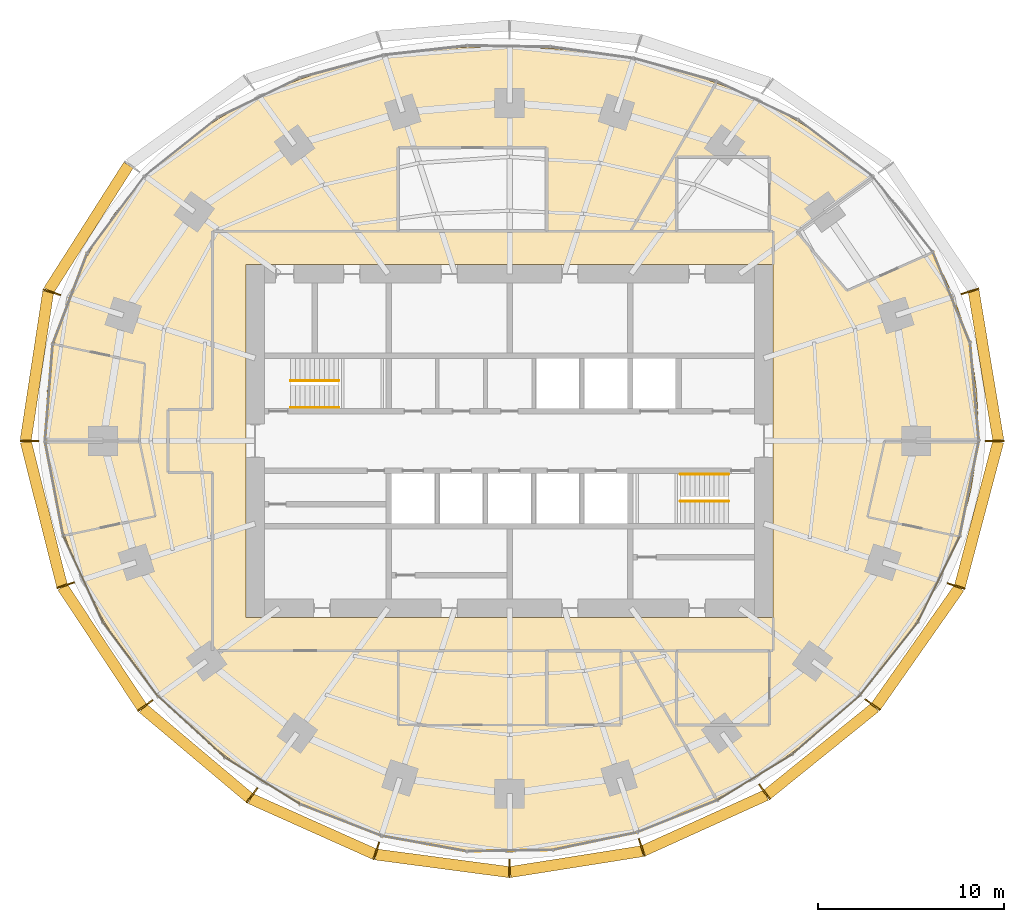
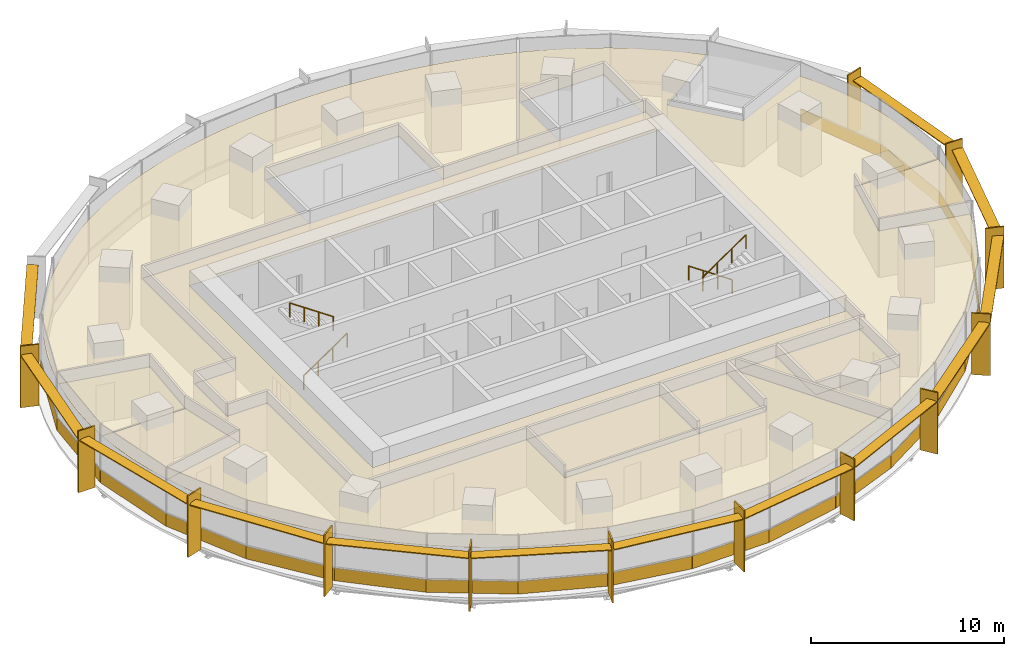
# One storey, part 13 of 14: 28 coverings, 26 shading devices, 4 railings.
"""IFC4 building model written with IfcOpenShell, lengths in metres."""

from ifc_helpers import new_model, si_unit, direction, frame, origin, origin_2d, place, context, subcontext, project, spatial, polyline, rectangle, circle, outline, extrude, material, layer, layer_set, type_object, element, save


model = new_model("IFC4")

# Units and contexts
model_context = context("Model", 3, precision=1e-05, world=origin(), true_north=direction((0.0, 1.0)))
body_context = subcontext(model_context, "Body", "Model", "MODEL_VIEW")
ifc_project = project(units=[si_unit("LENGTHUNIT", "METRE"), si_unit("AREAUNIT", "SQUARE_METRE"), si_unit("VOLUMEUNIT", "CUBIC_METRE"), si_unit("PLANEANGLEUNIT", "RADIAN"), si_unit("MASSUNIT", "GRAM", prefix="KILO")], contexts=[model_context])

# Site, building, storey
site_placement = place(None, origin())
site = spatial("IfcSite", under=ifc_project, at=site_placement, CompositionType="ELEMENT")
building_placement = place(site_placement, origin())
building = spatial("IfcBuilding", under=site, at=building_placement, Name="Marramba Exchange Tower", CompositionType="ELEMENT")
storey_placement = place(building_placement, frame((0.0, 0.0, 147.0)))
storey = spatial("IfcBuildingStorey", under=building, at=storey_placement, Name="L35", CompositionType="ELEMENT", Elevation=147.0)

# Shading devices
ifc_material_1 = material(Name="Aluminium blade, timber-look bronze finish", Category="wood")
ifc_layer_1 = layer(ifc_material_1, 0.080078125)
ifc_layer_set_1 = layer_set([ifc_layer_1], Name="Floor-edge blade 1000x80")
shading_device_type_1 = type_object("IfcShadingDeviceType", Name="Floor-edge blade 1000x80", PredefinedType="USERDEFINED", material=ifc_layer_set_1)
for number, where, z_axis, x_axis, name in (
    (1, (26.132080078125, 0.0, -0.159912109375), (0.0, 0.0, 1.0), (1.0, 0.0, 0.0), "Floor-edge blade FB1 L35 TC01"),
    (2, (24.798583984375, 8.0576171875, -0.159912109375), (0.0, 0.0, 1.0), (0.951056516295, 0.309016994375, 0.0), "Floor-edge blade FB1 L35 TC02"),
    (3, (-24.653076171875, 8.01025390625, -0.159912109375), (0.0, 0.0, 1.0), (-0.951056516295, 0.309016994375, 0.0), "Floor-edge blade FB1 L35 TC10"),
    (4, (-25.867919921875, 0.0, -0.159912109375), (0.0, 0.0, 1.0), (-1.0, 0.0, 0.0), "Floor-edge blade FB1 L35 TC11"),
    (5, (-23.90673828125, -7.767822265625, -0.159912109375), (0.0, 0.0, 1.0), (-0.951056516295, -0.309016994375, 0.0), "Floor-edge blade FB1 L35 TC12"),
    (6, (-19.618408203125, -14.253662109375, -0.159912109375), (0.0, 0.0, 1.0), (-0.809016994375, -0.587785252292, 0.0), "Floor-edge blade FB1 L35 TC13"),
    (7, (-13.866943359375, -19.08642578125, -0.159912109375), (0.0, 0.0, 1.0), (-0.587785252292, -0.809016994375, 0.0), "Floor-edge blade FB1 L35 TC14"),
    (8, (-7.173828125, -22.078857421875, -0.159912109375), (0.0, 0.0, 1.0), (-0.309016994375, -0.951056516295, 0.0), "Floor-edge blade FB1 L35 TC15"),
    (9, (0.0, -23.02685546875, -0.159912109375), (0.0, 0.0, 1.0), (0.0, -1.0, 0.0), "Floor-edge blade FB1 L35 TC16"),
    (10, (7.115966796875, -21.900634765625, -0.159912109375), (0.0, 0.0, 1.0), (0.309016994375, -0.951056516295, 0.0), "Floor-edge blade FB1 L35 TC17"),
    (11, (13.733154296875, -18.902099609375, -0.159912109375), (0.0, 0.0, 1.0), (0.587785252292, -0.809016994375, 0.0), "Floor-edge blade FB1 L35 TC18"),
    (12, (19.555908203125, -14.208251953125, -0.159912109375), (0.0, 0.0, 1.0), (0.809016994375, -0.587785252292, 0.0), "Floor-edge blade FB1 L35 TC19"),
    (13, (24.052001953125, -7.81494140625, -0.159912109375), (0.0, 0.0, 1.0), (0.951056516295, -0.309016994375, 0.0), "Floor-edge blade FB1 L35 TC20"),
):
    element("IfcShadingDevice", number, at=place(storey_placement, frame(where, z_axis=z_axis, x_axis=x_axis)), inside=storey, type_object=shading_device_type_1, Name=name, ObjectType="FIN", PredefinedType="USERDEFINED", context=body_context, shape_type="SweptSolid", body=[
        extrude(rectangle(XDim=1.0, YDim=0.080078125, at=origin_2d()), origin(), (0.0, 0.0, 1.0), 3.89990234375),
    ])
ifc_material_2 = material(Name="Aluminium sunshade, bronze anodised", Category="aluminium")
ifc_layer_2 = layer(ifc_material_2, 0.06005859375)
ifc_layer_set_2 = layer_set([ifc_layer_2], Name="SUNSHADE blade 600x60")
shading_device_type_2 = type_object("IfcShadingDeviceType", Name="SUNSHADE blade 600x60", PredefinedType="USERDEFINED", material=ifc_layer_set_2)
shading_device_1_placement = place(storey_placement, frame((25.660400390625, 4.0595703125, 3.159912109375), z_axis=(0.0, 0.0, 1.0), x_axis=(-0.163227675764, 0.986588427798, 0.0)))
element("IfcShadingDevice", 14, at=shading_device_1_placement, inside=storey, type_object=shading_device_type_2, Name="Sunshade SS1 L35 bay 01", ObjectType="SUNSHADE", PredefinedType="USERDEFINED", context=body_context, shape_type="SweptSolid", body=[
    extrude(rectangle(XDim=8.149658203125, YDim=0.60009765625, at=origin_2d()), origin(), (0.0, 0.0, 1.0), 0.06005859375),
])
shading_device_2_placement = place(storey_placement, frame((-22.6708984375, 11.482421875, 3.159912109375), z_axis=(0.0, 0.0, 1.0), x_axis=(-0.537284770546, -0.843400898351, 0.0)))
element("IfcShadingDevice", 15, at=shading_device_2_placement, inside=storey, type_object=shading_device_type_2, Name="Sunshade SS1 L35 bay 09", ObjectType="SUNSHADE", PredefinedType="USERDEFINED", context=body_context, shape_type="SweptSolid", body=[
    extrude(rectangle(XDim=8.007080078125, YDim=0.60009765625, at=origin_2d()), origin(), (0.0, 0.0, 1.0), 0.06005859375),
])
shading_device_3_placement = place(storey_placement, frame((-25.455810546875, 4.0361328125, 3.159912109375), z_axis=(0.0, 0.0, 1.0), x_axis=(-0.14999307077, -0.988687047918, 0.0)))
element("IfcShadingDevice", 16, at=shading_device_3_placement, inside=storey, type_object=shading_device_type_2, Name="Sunshade SS1 L35 bay 10", ObjectType="SUNSHADE", PredefinedType="USERDEFINED", context=body_context, shape_type="SweptSolid", body=[
    extrude(rectangle(XDim=8.08447265625, YDim=0.60009765625, at=origin_2d()), origin(), (0.0, 0.0, 1.0), 0.06005859375),
])
shading_device_4_placement = place(storey_placement, frame((-25.08251953125, -3.914794921875, 3.159912109375), z_axis=(0.0, 0.0, 1.0), x_axis=(0.244116522902, -0.969745906537, 0.0)))
element("IfcShadingDevice", 17, at=shading_device_4_placement, inside=storey, type_object=shading_device_type_2, Name="Sunshade SS1 L35 bay 11", ObjectType="SUNSHADE", PredefinedType="USERDEFINED", context=body_context, shape_type="SweptSolid", body=[
    extrude(rectangle(XDim=7.993896484375, YDim=0.60009765625, at=origin_2d()), origin(), (0.0, 0.0, 1.0), 0.06005859375),
])
shading_device_5_placement = place(storey_placement, frame((-21.938720703125, -11.100341796875, 3.159912109375), z_axis=(0.0, 0.0, 1.0), x_axis=(0.550792342935, -0.834642315585, 0.0)))
element("IfcShadingDevice", 18, at=shading_device_5_placement, inside=storey, type_object=shading_device_type_2, Name="Sunshade SS1 L35 bay 12", ObjectType="SUNSHADE", PredefinedType="USERDEFINED", context=body_context, shape_type="SweptSolid", body=[
    extrude(rectangle(XDim=7.757568359375, YDim=0.60009765625, at=origin_2d()), origin(), (0.0, 0.0, 1.0), 0.06005859375),
])
shading_device_6_placement = place(storey_placement, frame((-16.88232421875, -16.8095703125, 3.159912109375), z_axis=(0.0, 0.0, 1.0), x_axis=(0.76513863304, -0.643865569998, 0.0)))
element("IfcShadingDevice", 19, at=shading_device_6_placement, inside=storey, type_object=shading_device_type_2, Name="Sunshade SS1 L35 bay 13", ObjectType="SUNSHADE", PredefinedType="USERDEFINED", context=body_context, shape_type="SweptSolid", body=[
    extrude(rectangle(XDim=7.49462890625, YDim=0.60009765625, at=origin_2d()), origin(), (0.0, 0.0, 1.0), 0.06005859375),
])
shading_device_7_placement = place(storey_placement, frame((-10.610107421875, -20.758544921875, 3.159912109375), z_axis=(0.0, 0.0, 1.0), x_axis=(0.912735880581, -0.408550134377, 0.0)))
element("IfcShadingDevice", 20, at=shading_device_7_placement, inside=storey, type_object=shading_device_type_2, Name="Sunshade SS1 L35 bay 14", ObjectType="SUNSHADE", PredefinedType="USERDEFINED", context=body_context, shape_type="SweptSolid", body=[
    extrude(rectangle(XDim=7.314208984375, YDim=0.60009765625, at=origin_2d()), origin(), (0.0, 0.0, 1.0), 0.06005859375),
])
shading_device_8_placement = place(storey_placement, frame((-3.617919921875, -22.748046875, 3.159912109375), z_axis=(0.0, 0.0, 1.0), x_axis=(0.991350478855, -0.131241106646, 0.0)))
element("IfcShadingDevice", 21, at=shading_device_8_placement, inside=storey, type_object=shading_device_type_2, Name="Sunshade SS1 L35 bay 15", ObjectType="SUNSHADE", PredefinedType="USERDEFINED", context=body_context, shape_type="SweptSolid", body=[
    extrude(rectangle(XDim=7.21875, YDim=0.60009765625, at=origin_2d()), origin(), (0.0, 0.0, 1.0), 0.06005859375),
])
shading_device_9_placement = place(storey_placement, frame((3.5888671875, -22.658935546875, 3.159912109375), z_axis=(0.0, 0.0, 1.0), x_axis=(0.987704817912, 0.15633039587, 0.0)))
element("IfcShadingDevice", 22, at=shading_device_9_placement, inside=storey, type_object=shading_device_type_2, Name="Sunshade SS1 L35 bay 16", ObjectType="SUNSHADE", PredefinedType="USERDEFINED", context=body_context, shape_type="SweptSolid", body=[
    extrude(rectangle(XDim=7.18701171875, YDim=0.60009765625, at=origin_2d()), origin(), (0.0, 0.0, 1.0), 0.06005859375),
])
shading_device_10_placement = place(storey_placement, frame((10.514404296875, -20.577392578125, 3.159912109375), z_axis=(0.0, 0.0, 1.0), x_axis=(0.910692240548, 0.413085515366, 0.0)))
element("IfcShadingDevice", 23, at=shading_device_10_placement, inside=storey, type_object=shading_device_type_2, Name="Sunshade SS1 L35 bay 17", ObjectType="SUNSHADE", PredefinedType="USERDEFINED", context=body_context, shape_type="SweptSolid", body=[
    extrude(rectangle(XDim=7.24755859375, YDim=0.60009765625, at=origin_2d()), origin(), (0.0, 0.0, 1.0), 0.06005859375),
])
shading_device_11_placement = place(storey_placement, frame((16.7841796875, -16.69482421875, 3.159912109375), z_axis=(0.0, 0.0, 1.0), x_axis=(0.777962439436, 0.628310785223, 0.0)))
element("IfcShadingDevice", 24, at=shading_device_11_placement, inside=storey, type_object=shading_device_type_2, Name="Sunshade SS1 L35 bay 18", ObjectType="SUNSHADE", PredefinedType="USERDEFINED", context=body_context, shape_type="SweptSolid", body=[
    extrude(rectangle(XDim=7.46142578125, YDim=0.60009765625, at=origin_2d()), origin(), (0.0, 0.0, 1.0), 0.06005859375),
])
shading_device_12_placement = place(storey_placement, frame((21.97998046875, -11.101318359375, 3.159912109375), z_axis=(0.0, 0.0, 1.0), x_axis=(0.574350885858, 0.818609222959, 0.0)))
element("IfcShadingDevice", 25, at=shading_device_12_placement, inside=storey, type_object=shading_device_type_2, Name="Sunshade SS1 L35 bay 19", ObjectType="SUNSHADE", PredefinedType="USERDEFINED", context=body_context, shape_type="SweptSolid", body=[
    extrude(rectangle(XDim=7.7978515625, YDim=0.60009765625, at=origin_2d()), origin(), (0.0, 0.0, 1.0), 0.06005859375),
])
shading_device_13_placement = place(storey_placement, frame((25.287109375, -3.9384765625, 3.159912109375), z_axis=(0.0, 0.0, 1.0), x_axis=(0.256422950151, 0.966564674833, 0.0)))
element("IfcShadingDevice", 26, at=shading_device_13_placement, inside=storey, type_object=shading_device_type_2, Name="Sunshade SS1 L35 bay 20", ObjectType="SUNSHADE", PredefinedType="USERDEFINED", context=body_context, shape_type="SweptSolid", body=[
    extrude(rectangle(XDim=8.0693359375, YDim=0.60009765625, at=origin_2d()), origin(), (0.0, 0.0, 1.0), 0.06005859375),
])

# Coverings
ifc_material_3 = material(Name="Aluminium spandrel panel, bronze anodised, insulated", Category="aluminium")
ifc_layer_3 = layer(ifc_material_3, 0.050048828125)
ifc_layer_set_3 = layer_set([ifc_layer_3], Name="Spandrel panel 800")
covering_type_1 = type_object("IfcCoveringType", Name="Spandrel panel 800", PredefinedType="CLADDING", material=ifc_layer_set_3)
covering_1_placement = place(storey_placement, frame((25.04541015625, 2.63671875, 0.0), z_axis=(0.0, 0.0, 1.0), x_axis=(-0.089412890131, 0.995994646109, 0.0)))
element("IfcCovering", 27, at=covering_1_placement, inside=storey, type_object=covering_type_1, Name="Spandrel panel SP1 L35 F01", PredefinedType="CLADDING", context=body_context, shape_type="SweptSolid", body=[
    extrude(rectangle(XDim=5.29443359375, YDim=0.050048828125, at=origin_2d()), origin(), (0.0, 0.0, 1.0), 0.800048828125),
])
covering_2_placement = place(storey_placement, frame((23.81201171875, 7.715576171875, 0.0), z_axis=(0.0, 0.0, 1.0), x_axis=(-0.377821185272, 0.925878583811, 0.0)))
element("IfcCovering", 28, at=covering_2_placement, inside=storey, type_object=covering_type_1, Name="Spandrel panel SP1 L35 F02", PredefinedType="CLADDING", context=body_context, shape_type="SweptSolid", body=[
    extrude(rectangle(XDim=5.27587890625, YDim=0.050048828125, at=origin_2d()), origin(), (0.0, 0.0, 1.0), 0.800048828125),
])
covering_3_placement = place(storey_placement, frame((-23.671875, 7.677490234375, 0.0), z_axis=(0.0, 0.0, 1.0), x_axis=(-0.354844476365, -0.934925343326, 0.0)))
element("IfcCovering", 29, at=covering_3_placement, inside=storey, type_object=covering_type_1, Name="Spandrel panel SP1 L35 F14", PredefinedType="CLADDING", context=body_context, shape_type="SweptSolid", body=[
    extrude(rectangle(XDim=5.2373046875, YDim=0.050048828125, at=origin_2d()), origin(), (0.0, 0.0, 1.0), 0.800048828125),
])
covering_4_placement = place(storey_placement, frame((-24.8095703125, 2.614501953125, 0.0), z_axis=(0.0, 0.0, 1.0), x_axis=(-0.079459700697, -0.996838079111, 0.0)))
element("IfcCovering", 30, at=covering_4_placement, inside=storey, type_object=covering_type_1, Name="Spandrel panel SP1 L35 F15", PredefinedType="CLADDING", context=body_context, shape_type="SweptSolid", body=[
    extrude(rectangle(XDim=5.245849609375, YDim=0.050048828125, at=origin_2d()), origin(), (0.0, 0.0, 1.0), 0.800048828125),
])
covering_5_placement = place(storey_placement, frame((-24.5283203125, -2.5546875, 0.0), z_axis=(0.0, 0.0, 1.0), x_axis=(0.188227222909, -0.982125507538, 0.0)))
element("IfcCovering", 31, at=covering_5_placement, inside=storey, type_object=covering_type_1, Name="Spandrel panel SP1 L35 F16", PredefinedType="CLADDING", context=body_context, shape_type="SweptSolid", body=[
    extrude(rectangle(XDim=5.20263671875, YDim=0.050048828125, at=origin_2d()), origin(), (0.0, 0.0, 1.0), 0.800048828125),
])
covering_6_placement = place(storey_placement, frame((-22.973876953125, -7.43212890625, 0.0), z_axis=(0.0, 0.0, 1.0), x_axis=(0.416737850896, -0.909026712275, 0.0)))
element("IfcCovering", 32, at=covering_6_placement, inside=storey, type_object=covering_type_1, Name="Spandrel panel SP1 L35 F17", PredefinedType="CLADDING", context=body_context, shape_type="SweptSolid", body=[
    extrude(rectangle(XDim=5.10986328125, YDim=0.050048828125, at=origin_2d()), origin(), (0.0, 0.0, 1.0), 0.800048828125),
])
covering_7_placement = place(storey_placement, frame((-20.419921875, -11.75439453125, 0.0), z_axis=(0.0, 0.0, 1.0), x_axis=(0.597304701232, -0.802014397555, 0.0)))
element("IfcCovering", 33, at=covering_7_placement, inside=storey, type_object=covering_type_1, Name="Spandrel panel SP1 L35 F18", PredefinedType="CLADDING", context=body_context, shape_type="SweptSolid", body=[
    extrude(rectangle(XDim=4.986572265625, YDim=0.050048828125, at=origin_2d()), origin(), (0.0, 0.0, 1.0), 0.800048828125),
])
covering_8_placement = place(storey_placement, frame((-17.135986328125, -15.39599609375, 0.0), z_axis=(0.0, 0.0, 1.0), x_axis=(0.737821889246, -0.674995451651, 0.0)))
element("IfcCovering", 34, at=covering_8_placement, inside=storey, type_object=covering_type_1, Name="Spandrel panel SP1 L35 F19", PredefinedType="CLADDING", context=body_context, shape_type="SweptSolid", body=[
    extrude(rectangle(XDim=4.865234375, YDim=0.050048828125, at=origin_2d()), origin(), (0.0, 0.0, 1.0), 0.800048828125),
])
covering_9_placement = place(storey_placement, frame((-13.31787109375, -18.300537109375, 0.0), z_axis=(0.0, 0.0, 1.0), x_axis=(0.848354599309, -0.529428440708, 0.0)))
element("IfcCovering", 35, at=covering_9_placement, inside=storey, type_object=covering_type_1, Name="Spandrel panel SP1 L35 F20", PredefinedType="CLADDING", context=body_context, shape_type="SweptSolid", body=[
    extrude(rectangle(XDim=4.76953125, YDim=0.050048828125, at=origin_2d()), origin(), (0.0, 0.0, 1.0), 0.800048828125),
])
covering_10_placement = place(storey_placement, frame((-9.10302734375, -20.416748046875, 0.0), z_axis=(0.0, 0.0, 1.0), x_axis=(0.931818387481, -0.362924913381, 0.0)))
element("IfcCovering", 36, at=covering_10_placement, inside=storey, type_object=covering_type_1, Name="Spandrel panel SP1 L35 F21", PredefinedType="CLADDING", context=body_context, shape_type="SweptSolid", body=[
    extrude(rectangle(XDim=4.704345703125, YDim=0.050048828125, at=origin_2d()), origin(), (0.0, 0.0, 1.0), 0.800048828125),
])
covering_11_placement = place(storey_placement, frame((-4.616943359375, -21.685302734375, 0.0), z_axis=(0.0, 0.0, 1.0), x_axis=(0.984031866928, -0.177992373069, 0.0)))
element("IfcCovering", 37, at=covering_11_placement, inside=storey, type_object=covering_type_1, Name="Spandrel panel SP1 L35 F22", PredefinedType="CLADDING", context=body_context, shape_type="SweptSolid", body=[
    extrude(rectangle(XDim=4.662841796875, YDim=0.050048828125, at=origin_2d()), origin(), (0.0, 0.0, 1.0), 0.800048828125),
])
covering_12_placement = place(storey_placement, frame((-0.003662109375, -22.065185546875, 0.0), z_axis=(0.0, 0.0, 1.0), x_axis=(0.999884797651, 0.015178650325, 0.0)))
element("IfcCovering", 38, at=covering_12_placement, inside=storey, type_object=covering_type_1, Name="Spandrel panel SP1 L35 F23", PredefinedType="CLADDING", context=body_context, shape_type="SweptSolid", body=[
    extrude(rectangle(XDim=4.638916015625, YDim=0.050048828125, at=origin_2d()), origin(), (0.0, 0.0, 1.0), 0.800048828125),
])
covering_13_placement = place(storey_placement, frame((4.58447265625, -21.56103515625, 0.0), z_axis=(0.0, 0.0, 1.0), x_axis=(0.979310200528, 0.202364846604, 0.0)))
element("IfcCovering", 39, at=covering_13_placement, inside=storey, type_object=covering_type_1, Name="Spandrel panel SP1 L35 F24", PredefinedType="CLADDING", context=body_context, shape_type="SweptSolid", body=[
    extrude(rectangle(XDim=4.6337890625, YDim=0.050048828125, at=origin_2d()), origin(), (0.0, 0.0, 1.0), 0.800048828125),
])
covering_14_placement = place(storey_placement, frame((9.014892578125, -20.225341796875, 0.0), z_axis=(0.0, 0.0, 1.0), x_axis=(0.928148914987, 0.372209069755, 0.0)))
element("IfcCovering", 40, at=covering_14_placement, inside=storey, type_object=covering_type_1, Name="Spandrel panel SP1 L35 F25", PredefinedType="CLADDING", context=body_context, shape_type="SweptSolid", body=[
    extrude(rectangle(XDim=4.657958984375, YDim=0.050048828125, at=origin_2d()), origin(), (0.0, 0.0, 1.0), 0.800048828125),
])
covering_15_placement = place(storey_placement, frame((13.193115234375, -18.125244140625, 0.0), z_axis=(0.0, 0.0, 1.0), x_axis=(0.853109118827, 0.521732528576, 0.0)))
element("IfcCovering", 41, at=covering_15_placement, inside=storey, type_object=covering_type_1, Name="Spandrel panel SP1 L35 F26", PredefinedType="CLADDING", context=body_context, shape_type="SweptSolid", body=[
    extrude(rectangle(XDim=4.7275390625, YDim=0.050048828125, at=origin_2d()), origin(), (0.0, 0.0, 1.0), 0.800048828125),
])
covering_16_placement = place(storey_placement, frame((17.038818359375, -15.30029296875, 0.0), z_axis=(0.0, 0.0, 1.0), x_axis=(0.754385510875, 0.656431642277, 0.0)))
element("IfcCovering", 42, at=covering_16_placement, inside=storey, type_object=covering_type_1, Name="Spandrel panel SP1 L35 F27", PredefinedType="CLADDING", context=body_context, shape_type="SweptSolid", body=[
    extrude(rectangle(XDim=4.849609375, YDim=0.050048828125, at=origin_2d()), origin(), (0.0, 0.0, 1.0), 0.800048828125),
])
covering_17_placement = place(storey_placement, frame((20.425048828125, -11.747802734375, 0.0), z_axis=(0.0, 0.0, 1.0), x_axis=(0.621807470279, 0.783170141097, 0.0)))
element("IfcCovering", 43, at=covering_17_placement, inside=storey, type_object=covering_type_1, Name="Spandrel panel SP1 L35 F28", PredefinedType="CLADDING", context=body_context, shape_type="SweptSolid", body=[
    extrude(rectangle(XDim=5.00732421875, YDim=0.050048828125, at=origin_2d()), origin(), (0.0, 0.0, 1.0), 0.800048828125),
])
covering_18_placement = place(storey_placement, frame((23.114013671875, -7.47021484375, 0.0), z_axis=(0.0, 0.0, 1.0), x_axis=(0.439086346903, 0.898444867515, 0.0)))
element("IfcCovering", 44, at=covering_18_placement, inside=storey, type_object=covering_type_1, Name="Spandrel panel SP1 L35 F29", PredefinedType="CLADDING", context=body_context, shape_type="SweptSolid", body=[
    extrude(rectangle(XDim=5.156982421875, YDim=0.050048828125, at=origin_2d()), origin(), (0.0, 0.0, 1.0), 0.800048828125),
])
covering_19_placement = place(storey_placement, frame((24.76416015625, -2.576904296875, 0.0), z_axis=(0.0, 0.0, 1.0), x_axis=(0.197048514193, 0.980393738788, 0.0)))
element("IfcCovering", 45, at=covering_19_placement, inside=storey, type_object=covering_type_1, Name="Spandrel panel SP1 L35 F30", PredefinedType="CLADDING", context=body_context, shape_type="SweptSolid", body=[
    extrude(rectangle(XDim=5.2568359375, YDim=0.050048828125, at=origin_2d()), origin(), (0.0, 0.0, 1.0), 0.800048828125),
])

# Railings
ifc_material_4 = material(Name="Stainless steel handrail", Category="steel")
railing_type = type_object("IfcRailingType", Name="Stair handrail 900", PredefinedType="HANDRAIL", material=ifc_material_4)
railing_1_placement = place(storey_placement, frame((-11.800048828125, 1.800048828125, 0.17724609375)))
element("IfcRailing", 46, at=railing_1_placement, inside=storey, type_object=railing_type, Name="Handrail HR1 ST1 L35 flight 1", PredefinedType="HANDRAIL", context=body_context, shape_type="SweptSolid", body=[
    extrude(circle(Radius=0.02392578125, at=origin_2d()), frame((0.0, 0.0, 0.8759765625), z_axis=(0.826240473404, 0.0, 0.563317565952), x_axis=(0.0, 1.0, 0.0)), (0.0, 0.0, 1.0), 3.14697265625),
    extrude(circle(Radius=0.02099609375, at=origin_2d()), origin(), (0.0, 0.0, 1.0), 0.851806640625),
    extrude(circle(Radius=0.02099609375, at=origin_2d()), frame((0.86669921875, 0.0, 0.5908203125)), (0.0, 0.0, 1.0), 0.851806640625),
    extrude(circle(Radius=0.02099609375, at=origin_2d()), frame((1.7333984375, 0.0, 1.181884765625)), (0.0, 0.0, 1.0), 0.851806640625),
    extrude(circle(Radius=0.02099609375, at=origin_2d()), frame((2.60009765625, 0.0, 1.772705078125)), (0.0, 0.0, 1.0), 0.851806640625),
])
for number, where, name in (
    (47, (-9.199951171875, 3.25, 2.127197265625), "Handrail HR1 ST1 L35 flight 2"),
    (48, (11.800048828125, -1.800048828125, 0.17724609375), "Handrail HR1 ST2 L35 flight 1"),
):
    element("IfcRailing", number, at=place(storey_placement, frame(where)), inside=storey, type_object=railing_type, Name=name, PredefinedType="HANDRAIL", context=body_context, shape_type="SweptSolid", body=[
        extrude(circle(Radius=0.02392578125, at=origin_2d()), frame((0.0, 0.0, 0.8759765625), z_axis=(-0.826240473404, 0.0, 0.563317565952), x_axis=(0.0, -1.0, 0.0)), (0.0, 0.0, 1.0), 3.14697265625),
        extrude(circle(Radius=0.02099609375, at=origin_2d()), origin(), (0.0, 0.0, 1.0), 0.851806640625),
        extrude(circle(Radius=0.02099609375, at=origin_2d()), frame((-0.86669921875, 0.0, 0.5908203125)), (0.0, 0.0, 1.0), 0.851806640625),
        extrude(circle(Radius=0.02099609375, at=origin_2d()), frame((-1.7333984375, 0.0, 1.181884765625)), (0.0, 0.0, 1.0), 0.851806640625),
        extrude(circle(Radius=0.02099609375, at=origin_2d()), frame((-2.60009765625, 0.0, 1.772705078125)), (0.0, 0.0, 1.0), 0.851806640625),
    ])
railing_2_placement = place(storey_placement, frame((9.199951171875, -3.25, 2.127197265625)))
element("IfcRailing", 49, at=railing_2_placement, inside=storey, type_object=railing_type, Name="Handrail HR1 ST2 L35 flight 2", PredefinedType="HANDRAIL", context=body_context, shape_type="SweptSolid", body=[
    extrude(circle(Radius=0.02392578125, at=origin_2d()), frame((0.0, 0.0, 0.8759765625), z_axis=(0.826240473404, 0.0, 0.563317565952), x_axis=(0.0, 1.0, 0.0)), (0.0, 0.0, 1.0), 3.14697265625),
    extrude(circle(Radius=0.02099609375, at=origin_2d()), origin(), (0.0, 0.0, 1.0), 0.851806640625),
    extrude(circle(Radius=0.02099609375, at=origin_2d()), frame((0.86669921875, 0.0, 0.5908203125)), (0.0, 0.0, 1.0), 0.851806640625),
    extrude(circle(Radius=0.02099609375, at=origin_2d()), frame((1.7333984375, 0.0, 1.181884765625)), (0.0, 0.0, 1.0), 0.851806640625),
    extrude(circle(Radius=0.02099609375, at=origin_2d()), frame((2.60009765625, 0.0, 1.772705078125)), (0.0, 0.0, 1.0), 0.851806640625),
])

# Coverings
ifc_material_5 = material(Name="Mineral fibre ceiling tiles", Category="gypsum")
ifc_layer_4 = layer(ifc_material_5, 0.02001953125)
ifc_layer_set_4 = layer_set([ifc_layer_4], Name="Suspended ceiling 20")
covering_type_2 = type_object("IfcCoveringType", Name="Suspended ceiling 20", PredefinedType="CEILING", material=ifc_layer_set_4)
covering_20_placement = place(storey_placement, frame((0.0, 0.0, 2.89990234375)))
element("IfcCovering", 50, at=covering_20_placement, inside=storey, type_object=covering_type_2, Name="Ceiling CL1 L35 Open Plan Office 1", PredefinedType="CEILING", context=body_context, shape_type="SweptSolid", body=[
    extrude(outline(polyline([(14.199951171875, -9.5), (14.199951171875, 9.5), (14.199951171875, 11.300048828125), (14.0, 11.300048828125), (14.0, 15.300048828125), (9.0, 15.300048828125), (9.0, 11.300048828125), (6.524169921875, 11.300048828125), (11.13671875, 19.289306640625), (12.24658203125, 18.8583984375), (13.348876953125, 18.373046875), (14.43896484375, 17.830810546875), (15.512451171875, 17.228271484375), (16.563720703125, 16.563720703125), (17.5869140625, 15.835205078125), (18.5751953125, 15.041748046875), (19.521484375, 14.18310546875), (15.4765625, 11.244384765625), (18.174560546875, 8.091796875), (22.7421875, 10.12548828125), (23.3701171875, 8.970947265625), (23.9140625, 7.77001953125), (24.368896484375, 6.529541015625), (24.73046875, 5.256591796875), (24.99560546875, 3.958984375), (25.16259765625, 2.644775390625), (25.231201171875, 1.322265625), (25.201904296875, 0.0), (20.201904296875, 0.0), (19.277099609375, -4.097412109375), (24.16796875, -5.136962890625), (23.703125, -6.351318359375), (23.16748046875, -7.527587890625), (22.5673828125, -8.662841796875), (21.90869140625, -9.75439453125), (21.197509765625, -10.80078125), (20.439697265625, -11.80078125), (19.64013671875, -12.75439453125), (18.803466796875, -13.66162109375), (17.93359375, -14.5224609375), (17.033935546875, -15.33740234375), (16.107421875, -16.107421875), (15.156005859375, -16.83251953125), (14.181884765625, -17.51318359375), (13.1865234375, -18.14990234375), (12.171142578125, -18.741943359375), (11.13671875, -19.289306640625), (6.524169921875, -11.300048828125), (9.0, -11.300048828125), (9.0, -15.300048828125), (14.0, -15.300048828125), (14.0, -11.300048828125), (14.199951171875, -11.300048828125), (14.199951171875, -9.5)])), origin(), (0.0, 0.0, 1.0), 0.02001953125),
])
covering_21_placement = place(storey_placement, frame((0.0, 0.0, 2.89990234375)))
element("IfcCovering", 51, at=covering_21_placement, inside=storey, type_object=covering_type_2, Name="Ceiling CL1 L35 Open Plan Office 2", PredefinedType="CEILING", context=body_context, shape_type="SweptSolid", body=[
    extrude(outline(polyline([(-16.0, 1.699951171875), (-18.39990234375, 1.699951171875), (-18.39990234375, -1.699951171875), (-16.0, -1.699951171875), (-16.0, -11.300048828125), (-6.0, -11.300048828125), (-6.0, -15.300048828125), (2.0, -15.300048828125), (6.0, -15.300048828125), (6.0, -11.300048828125), (6.524169921875, -11.300048828125), (9.422607421875, -16.3203125), (11.13671875, -19.289306640625), (10.083984375, -19.791259765625), (9.0146484375, -20.2470703125), (7.928955078125, -20.65576171875), (6.82861328125, -21.01611328125), (5.714599609375, -21.3271484375), (4.58837890625, -21.587158203125), (3.4521484375, -21.79541015625), (2.30712890625, -21.950439453125), (1.15576171875, -22.05126953125), (0.0, -22.096923828125), (-1.157470703125, -22.0869140625), (-2.314453125, -22.020751953125), (-3.468505859375, -21.898193359375), (-4.61669921875, -21.719482421875), (-5.7568359375, -21.484619140625), (-6.886474609375, -21.1943359375), (-8.00341796875, -20.84912109375), (-9.10498046875, -20.4501953125), (-10.189453125, -19.997802734375), (-11.2548828125, -19.493896484375), (-12.299072265625, -18.938720703125), (-13.3203125, -18.333984375), (-14.317138671875, -17.68017578125), (-15.28759765625, -16.978515625), (-16.229736328125, -16.229736328125), (-17.1416015625, -15.434326171875), (-18.021240234375, -14.59326171875), (-18.865966796875, -13.706787109375), (-19.673095703125, -12.77587890625), (-20.439697265625, -11.80078125), (-21.162109375, -10.78271484375), (-21.836181640625, -9.72216796875), (-22.457763671875, -8.62060546875), (-23.022216796875, -7.48046875), (-23.52490234375, -6.303466796875), (-23.96044921875, -5.093017578125), (-19.069580078125, -4.053466796875), (-19.93798828125, 0.0), (-19.632080078125, 4.173095703125), (-24.52294921875, 5.21240234375), (-24.1904296875, 6.481689453125), (-23.768798828125, 7.722900390625), (-23.260498046875, 8.928955078125), (-22.669677734375, 10.09326171875), (-22.0009765625, 11.2099609375), (-21.259765625, 12.2744140625), (-20.451904296875, 13.28173828125), (-19.583984375, 14.228759765625), (-18.66259765625, 15.11279296875), (-17.6943359375, 15.93212890625), (-16.685791015625, 16.685791015625), (-15.643798828125, 17.374267578125), (-14.57421875, 17.99755859375), (-13.482666015625, 18.55712890625), (-12.37451171875, 19.05517578125), (-11.2548828125, 19.493896484375), (-10.127197265625, 19.875732421875), (-8.995361328125, 20.203857421875), (-7.862060546875, 20.4814453125), (-6.7294921875, 20.711181640625), (-5.59912109375, 20.896484375), (-4.47216796875, 21.0400390625), (-3.34912109375, 21.14453125), (-2.2294921875, 21.212158203125), (-1.11328125, 21.244384765625), (0.0, 21.2431640625), (1.111572265625, 21.208740234375), (2.22216796875, 21.1416015625), (3.332763671875, 21.041748046875), (4.444091796875, 20.907958984375), (5.556884765625, 20.739013671875), (6.671630859375, 20.533203125), (7.787841796875, 20.287841796875), (8.905029296875, 20.0009765625), (10.02197265625, 19.6689453125), (11.13671875, 19.289306640625), (9.422607421875, 16.3203125), (6.524169921875, 11.300048828125), (2.0, 11.300048828125), (2.0, 15.800048828125), (-6.0, 15.800048828125), (-6.0, 11.300048828125), (-16.0, 11.300048828125), (-16.0, 1.699951171875)])), origin(), (0.0, 0.0, 1.0), 0.02001953125),
])
covering_22_placement = place(storey_placement, frame((0.0, 0.0, 2.89990234375)))
element("IfcCovering", 52, at=covering_22_placement, inside=storey, type_object=covering_type_2, Name="Ceiling CL1 L35 Corridor", PredefinedType="CEILING", context=body_context, shape_type="SweptSolid", body=[
    extrude(outline(polyline([(14.199951171875, -11.300048828125), (-16.0, -11.300048828125), (-16.0, -1.699951171875), (-18.39990234375, -1.699951171875), (-18.39990234375, 1.699951171875), (-16.0, 1.699951171875), (-16.0, 11.300048828125), (14.199951171875, 11.300048828125), (14.199951171875, 9.5), (-14.199951171875, 9.5), (-14.199951171875, 1.699951171875), (-14.199951171875, -1.699951171875), (-14.199951171875, -9.5), (14.199951171875, -9.5), (14.199951171875, -11.300048828125)])), origin(), (0.0, 0.0, 1.0), 0.02001953125),
])
covering_23_placement = place(storey_placement, frame((0.0, 0.0, 2.89990234375)))
element("IfcCovering", 53, at=covering_23_placement, inside=storey, type_object=covering_type_2, Name="Ceiling CL1 L35 Office 2", PredefinedType="CEILING", context=body_context, shape_type="SweptSolid", body=[
    extrude(outline(polyline([(25.181884765625, -0.212646484375), (25.077392578125, -1.314208984375), (24.96533203125, -1.984619140625), (24.8603515625, -2.61279296875), (24.80078125, -2.862548828125), (24.555419921875, -3.88916015625), (24.16796875, -5.136962890625), (19.277099609375, -4.097412109375), (20.201904296875, 0.0), (25.201904296875, 0.0), (25.181884765625, -0.212646484375)])), origin(), (0.0, 0.0, 1.0), 0.02001953125),
])
covering_24_placement = place(storey_placement, frame((0.0, 0.0, 2.89990234375)))
element("IfcCovering", 54, at=covering_24_placement, inside=storey, type_object=covering_type_2, Name="Ceiling CL1 L35 Office 3", PredefinedType="CEILING", context=body_context, shape_type="SweptSolid", body=[
    extrude(outline(polyline([(-24.94140625, 0.136474609375), (-24.970947265625, 1.30859375), (-24.913330078125, 2.618408203125), (-24.76416015625, 3.92236328125), (-24.6044921875, 4.775390625), (-24.52294921875, 5.21240234375), (-19.632080078125, 4.173095703125), (-19.93798828125, 0.0), (-24.93798828125, 0.0), (-24.94140625, 0.136474609375)])), origin(), (0.0, 0.0, 1.0), 0.02001953125),
])
covering_25_placement = place(storey_placement, frame((0.0, 0.0, 2.89990234375)))
element("IfcCovering", 55, at=covering_25_placement, inside=storey, type_object=covering_type_2, Name="Ceiling CL1 L35 Office 4", PredefinedType="CEILING", context=body_context, shape_type="SweptSolid", body=[
    extrude(outline(polyline([(-24.113525390625, -4.57080078125), (-24.32421875, -3.8525390625), (-24.611083984375, -2.586669921875), (-24.81689453125, -1.300537109375), (-24.93798828125, 0.0), (-19.93798828125, 0.0), (-19.069580078125, -4.053466796875), (-23.96044921875, -5.093017578125), (-24.113525390625, -4.57080078125)])), origin(), (0.0, 0.0, 1.0), 0.02001953125),
])
covering_26_placement = place(storey_placement, frame((0.0, 0.0, 2.89990234375)))
element("IfcCovering", 56, at=covering_26_placement, inside=storey, type_object=covering_type_2, Name="Ceiling CL1 L35 Meeting Room 2", PredefinedType="CEILING", context=body_context, shape_type="SweptSolid", body=[
    extrude(outline(polyline([(14.0, -15.300048828125), (9.0, -15.300048828125), (9.0, -11.300048828125), (14.0, -11.300048828125), (14.0, -15.300048828125)])), origin(), (0.0, 0.0, 1.0), 0.02001953125),
])
covering_27_placement = place(storey_placement, frame((0.0, 0.0, 2.89990234375)))
element("IfcCovering", 57, at=covering_27_placement, inside=storey, type_object=covering_type_2, Name="Ceiling CL1 L35 Pantry", PredefinedType="CEILING", context=body_context, shape_type="SweptSolid", body=[
    extrude(outline(polyline([(2.0, -15.300048828125), (-6.0, -15.300048828125), (-6.0, -11.300048828125), (2.0, -11.300048828125), (2.0, -15.300048828125)])), origin(), (0.0, 0.0, 1.0), 0.02001953125),
])
covering_28_placement = place(storey_placement, frame((0.0, 0.0, 2.89990234375)))
element("IfcCovering", 58, at=covering_28_placement, inside=storey, type_object=covering_type_2, Name="Ceiling CL1 L35 Interview Room", PredefinedType="CEILING", context=body_context, shape_type="SweptSolid", body=[
    extrude(outline(polyline([(6.0, -15.300048828125), (2.0, -15.300048828125), (2.0, -11.300048828125), (6.0, -11.300048828125), (6.0, -15.300048828125)])), origin(), (0.0, 0.0, 1.0), 0.02001953125),
])

save(model, "model.ifc")
